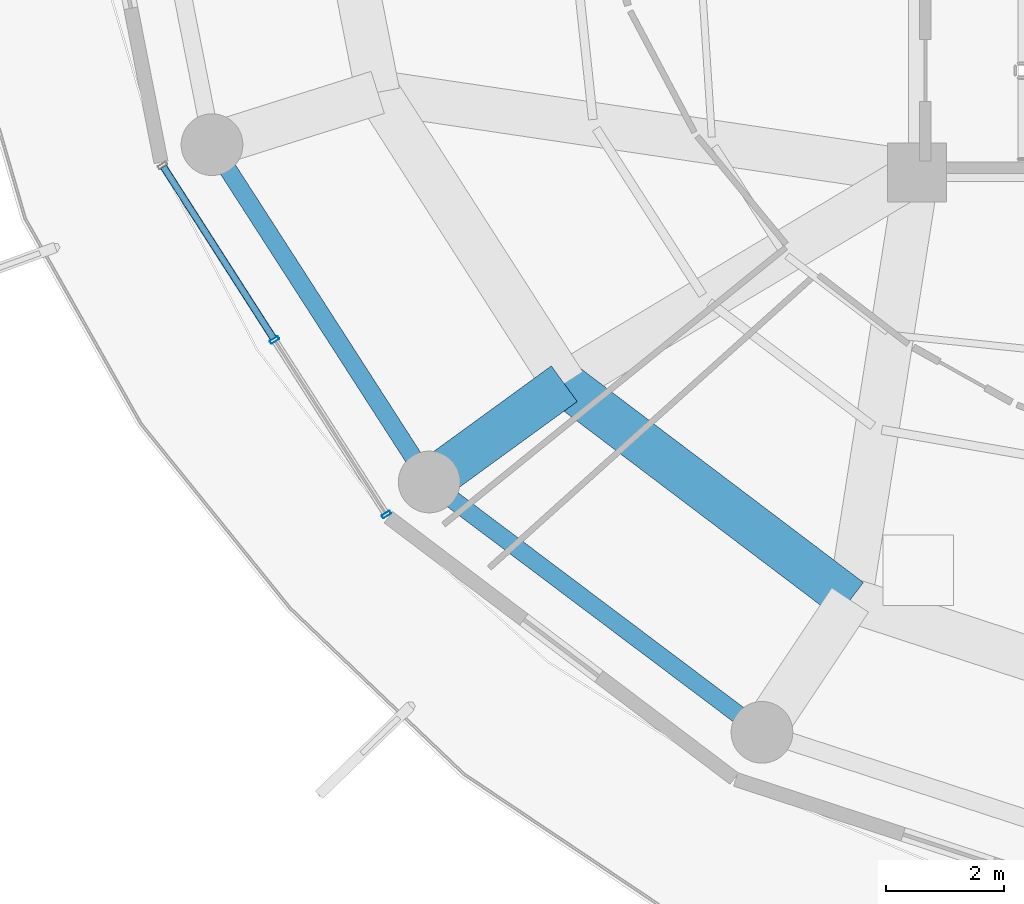
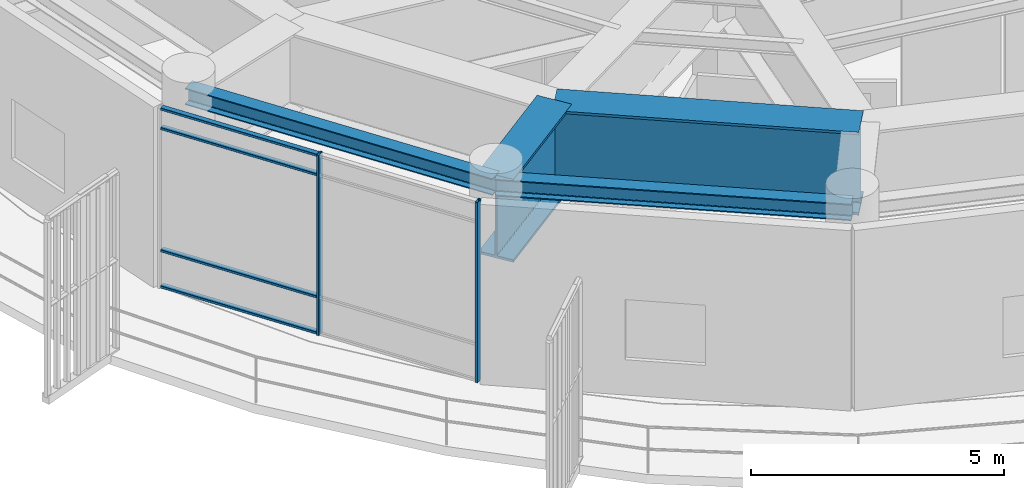
# One storey, part 2 of 29: 6 members, 4 beams, 1 element without a shape of its own.
"""IFC4 building model written with IfcOpenShell, lengths in metres."""

import ifcopenshell
import ifcopenshell.guid

model = None  # the IFC model being written
_history = None  # IfcOwnerHistory: only IFC2X3 demands one
_inside = {}  # id of a spatial element -> (the spatial element, [elements in it])
_under = {}  # id of a project, library or spatial element -> (it, [spatial elements below it])
_declared = {}  # id of a project -> (the project, [libraries it declares])
_typed = {}  # id of a type object -> (the type object, [elements of that type])
_made_of = {}  # id of a material, layer set ... -> (it, [elements and type objects made of it])


def new_model(schema):
    """Start an empty IFC model of exactly this schema.

    Asked for "IFC4X3", IfcOpenShell would pick the latest addendum, in which some entities
    have other attributes; the version numbers below select the first issue.
    IFC2X3 requires an IfcOwnerHistory on every rooted entity: one is made here for all.
    """
    global model, _history
    if schema == "IFC4X3":
        model = ifcopenshell.file(schema_version=(4, 3, 0, 0))
    else:
        model = ifcopenshell.file(schema=schema)
    _inside.clear()
    _under.clear()
    _declared.clear()
    _typed.clear()
    _made_of.clear()
    _history = None
    if model.schema == "IFC2X3":
        org = make("IfcOrganization", Name="unknown")
        user = make(
            "IfcPersonAndOrganization",
            ThePerson=make("IfcPerson", FamilyName="unknown"),
            TheOrganization=org,
        )
        app = make(
            "IfcApplication",
            ApplicationDeveloper=org,
            Version="unknown",
            ApplicationFullName="unknown",
            ApplicationIdentifier="unknown",
        )
        _history = make(
            "IfcOwnerHistory",
            OwningUser=user,
            OwningApplication=app,
            ChangeAction="ADDED",
            CreationDate=0,
        )
    return model


def make(cls, **values):
    """One entity of the class cls with the attributes given. An attribute that is None is left unset."""
    return model.create_entity(
        cls, **{name: value for name, value in values.items() if value is not None}
    )


def rooted(cls, **values):
    """An entity with a GlobalId (a new one), such as an element, a storey or a relation."""
    return make(cls, GlobalId=ifcopenshell.guid.new(), OwnerHistory=_history, **values)


def si_unit(unit_type, name, prefix=None):
    """IfcSIUnit, for example si_unit("LENGTHUNIT", "METRE", prefix="MILLI")."""
    return make("IfcSIUnit", UnitType=unit_type, Prefix=prefix, Name=name)


def assignment(units):
    """IfcUnitAssignment: the units of a project."""
    return None if units is None else make("IfcUnitAssignment", Units=units)


def point(xyz):
    """IfcCartesianPoint."""
    return None if xyz is None else make("IfcCartesianPoint", Coordinates=xyz)


def direction(xyz):
    """IfcDirection."""
    return None if xyz is None else make("IfcDirection", DirectionRatios=xyz)


def frame(location, z_axis=None, x_axis=None):
    """IfcAxis2Placement3D, a coordinate frame: its origin and axes. An axis left out is left unset."""
    return make(
        "IfcAxis2Placement3D",
        Location=point(location),
        Axis=direction(z_axis),
        RefDirection=direction(x_axis),
    )


def frame_2d(location, x_axis=None):
    """IfcAxis2Placement2D, a coordinate frame in the plane: its origin and x axis."""
    return make(
        "IfcAxis2Placement2D", Location=point(location), RefDirection=direction(x_axis)
    )


def origin():
    """The frame at (0, 0, 0) with its axes left unset."""
    return frame((0.0, 0.0, 0.0))


def origin_2d():
    """The frame at (0, 0) in the plane with its x axis left unset."""
    return frame_2d((0.0, 0.0))


def place(relative_to, where):
    """IfcLocalPlacement: puts the frame where relative to a parent placement (None: the world)."""
    return make(
        "IfcLocalPlacement", PlacementRelTo=relative_to, RelativePlacement=where
    )


def context(
    kind, dimensions, precision=None, world=None, true_north=None, identifier=None
):
    """IfcGeometricRepresentationContext, for example the 3D "Model" context."""
    return make(
        "IfcGeometricRepresentationContext",
        ContextIdentifier=identifier,
        ContextType=kind,
        CoordinateSpaceDimension=dimensions,
        Precision=precision,
        WorldCoordinateSystem=world,
        TrueNorth=true_north,
    )


def subcontext(parent, identifier, kind, view, scale=None):
    """IfcGeometricRepresentationSubContext, for example "Body" below "Model"."""
    return make(
        "IfcGeometricRepresentationSubContext",
        ContextIdentifier=identifier,
        ContextType=kind,
        ParentContext=parent,
        TargetScale=scale,
        TargetView=view,
    )


def project(units=None, contexts=None):
    """IfcProject with its units and contexts."""
    return rooted(
        "IfcProject",
        Name="project",
        RepresentationContexts=contexts,
        UnitsInContext=assignment(units),
    )


def spatial(cls, under=None, at=None, **own):
    """A site, building, storey or space (cls), placed at a placement, below another one or the project."""
    s = rooted(cls, ObjectPlacement=at, **own)
    if under is not None:
        _under.setdefault(under.id(), (under, []))[1].append(s)
    return s


def profile(cls, at=None, kind="AREA", **sizes):
    """A parametric profile (cls). Its sizes go by their IFC names, for example OverallWidth=200.0."""
    return make(cls, ProfileType=kind, Position=at, **sizes)


def hollow_rectangle(**sizes):
    """IfcRectangleHollowProfileDef."""
    return profile("IfcRectangleHollowProfileDef", **sizes)


def i_section(**sizes):
    """IfcIShapeProfileDef."""
    return profile("IfcIShapeProfileDef", **sizes)


def extrude(swept, where, along, depth):
    """IfcExtrudedAreaSolid: the profile swept, set in the frame where, extruded along a direction by depth."""
    return make(
        "IfcExtrudedAreaSolid",
        SweptArea=swept,
        Position=where,
        ExtrudedDirection=direction(along),
        Depth=depth,
    )


def shape(context_of_items, identifier, shape_type, items):
    """IfcShapeRepresentation: the items that make up one representation, for example the "Body"."""
    return make(
        "IfcShapeRepresentation",
        ContextOfItems=context_of_items,
        RepresentationIdentifier=identifier,
        RepresentationType=shape_type,
        Items=items,
    )


def material(Name=None, Category=None):
    """IfcMaterial."""
    return make("IfcMaterial", Name=Name, Category=Category)


def layer(
    of_material, thickness, ventilated=None, Name=None, Category=None, Priority=None
):
    """IfcMaterialLayer: one layer of a wall or slab, of a material (None: an air gap)."""
    return make(
        "IfcMaterialLayer",
        Material=of_material,
        LayerThickness=thickness,
        IsVentilated=ventilated,
        Name=Name,
        Category=Category,
        Priority=Priority,
    )


def layer_set(layers, Name=None):
    """IfcMaterialLayerSet."""
    return make("IfcMaterialLayerSet", MaterialLayers=layers, LayerSetName=Name)


def material_profile(
    of_material, cross_section, Name=None, Category=None, Priority=None
):
    """IfcMaterialProfile: a cross section and its material."""
    return make(
        "IfcMaterialProfile",
        Name=Name,
        Material=of_material,
        Profile=cross_section,
        Priority=Priority,
        Category=Category,
    )


def profile_set(profiles, Name=None, composite=None):
    """IfcMaterialProfileSet."""
    return make(
        "IfcMaterialProfileSet",
        Name=Name,
        MaterialProfiles=profiles,
        CompositeProfile=composite,
    )


def made_of(thing, what):
    """Note that an element or type object is made of a material, layer set ...; save() writes the relation."""
    if what is not None:
        _made_of.setdefault(what.id(), (what, []))[1].append(thing)
    return thing


def type_object(cls, material=None, **own):
    """A type object (cls), such as IfcWallType, which elements share."""
    return made_of(rooted(cls, **own), material)


def element(
    cls,
    number,
    at=None,
    inside=None,
    cuts=None,
    type_object=None,
    material=None,
    context=None,
    identifier="Body",
    shape_type=None,
    held_by="IfcProductDefinitionShape",
    body=None,
    shapes=None,
    **own,
):
    """One element of the class cls, such as IfcWall. Its Tag is "e" and its number.

    at: its placement. inside: the storey or other place that contains it. cuts: it is an
    opening in that element (IfcRelVoidsElement). A single representation is given by context,
    identifier, shape_type and body (its items); several are given by shapes. held_by: the class
    of the entity that holds the representations. save() writes the other relations.
    """
    e = rooted(cls, Tag="e%d" % number, ObjectPlacement=at, **own)
    if body is not None:
        shapes = [shape(context, identifier, shape_type, body)]
    if shapes is not None:
        e.Representation = make(held_by, Representations=shapes)
    if inside is not None:
        _inside.setdefault(inside.id(), (inside, []))[1].append(e)
    if cuts is not None:
        rooted(
            "IfcRelVoidsElement", RelatingBuildingElement=cuts, RelatedOpeningElement=e
        )
    if type_object is not None:
        _typed.setdefault(type_object.id(), (type_object, []))[1].append(e)
    return made_of(e, material)


def aggregate(whole, parts):
    """IfcRelAggregates: a whole, such as a stair, and the parts it consists of."""
    return rooted("IfcRelAggregates", RelatingObject=whole, RelatedObjects=parts)


def save(model, path):
    """Write the relations noted so far, then the file.

    IfcRelAggregates (storeys below a building ...), IfcRelContainedInSpatialStructure (elements
    in a storey), IfcRelDefinesByType, IfcRelAssociatesMaterial and IfcRelDeclares: one each for
    every whole, place, type object, material and project.
    """
    for whole, parts in _under.values():
        aggregate(whole, parts)
    for where, things in _inside.values():
        rooted(
            "IfcRelContainedInSpatialStructure",
            RelatedElements=things,
            RelatingStructure=where,
        )
    for kind, things in _typed.values():
        rooted("IfcRelDefinesByType", RelatedObjects=things, RelatingType=kind)
    for what, things in _made_of.values():
        rooted("IfcRelAssociatesMaterial", RelatedObjects=things, RelatingMaterial=what)
    for by, libraries in _declared.values():
        rooted("IfcRelDeclares", RelatingContext=by, RelatedDefinitions=libraries)
    model.write(path)


model = new_model("IFC4")

# Units and contexts
model_context = context("Model", 3, precision=1e-05, world=origin(), true_north=direction((0.0, 1.0)))
body_context = subcontext(model_context, "Body", "Model", "MODEL_VIEW")
ifc_project = project(units=[si_unit("LENGTHUNIT", "METRE"), si_unit("AREAUNIT", "SQUARE_METRE"), si_unit("VOLUMEUNIT", "CUBIC_METRE"), si_unit("PLANEANGLEUNIT", "RADIAN"), si_unit("MASSUNIT", "GRAM", prefix="KILO")], contexts=[model_context])

# Site, building, storey
site_placement = place(None, origin())
site = spatial("IfcSite", under=ifc_project, at=site_placement, CompositionType="ELEMENT")
building_placement = place(site_placement, origin())
building = spatial("IfcBuilding", under=site, at=building_placement, Name="Kelanora Arch Commons", CompositionType="ELEMENT")
storey_placement = place(building_placement, frame((0.0, 0.0, 238.199951171875)))
storey = spatial("IfcBuildingStorey", under=building, at=storey_placement, Name="L61", CompositionType="ELEMENT", Elevation=238.199951171875)

# Beams
ifc_material_1 = material(Name="Steel S355", Category="steel")
ifc_material_profile_1 = material_profile(ifc_material_1, i_section(OverallWidth=0.300048828125, OverallDepth=0.39990234375, WebThickness=0.013427734375, FlangeThickness=0.02392578125, FilletRadius=0.027099609375, at=origin_2d()), Name="HEB400")
ifc_profile_set_1 = profile_set([ifc_material_profile_1], Name="Steel S355")
beam_type_1 = type_object("IfcBeamType", Name="BM-SPN-Z4", PredefinedType="SPANDREL", material=ifc_profile_set_1)
beam_1_placement = place(storey_placement, frame((54.00341796875, 51.474365234375, 4.16015625), z_axis=(0.541364878868, -0.840787766281, 0.0), x_axis=(0.840787766281, 0.541364878868, 0.0)))
element("IfcBeam", 1, at=beam_1_placement, inside=storey, type_object=beam_type_1, Name="Perimeter Spandrel Beam BS-20 L61", PredefinedType="SPANDREL", context=body_context, shape_type="SweptSolid", body=[
    extrude(i_section(OverallWidth=0.300048828125, OverallDepth=0.39990234375, WebThickness=0.013427734375, FlangeThickness=0.02392578125, FilletRadius=0.027099609375, at=origin_2d()), origin(), (0.0, 0.0, 1.0), 6.825439453125),
])
beam_2_placement = place(storey_placement, frame((57.698486328125, 45.735595703125, 4.16015625), z_axis=(0.799114211715, -0.60117923836, 0.0), x_axis=(0.60117923836, 0.799114211715, 0.0)))
element("IfcBeam", 2, at=beam_2_placement, inside=storey, type_object=beam_type_1, Name="Perimeter Spandrel Beam BS-22 L61", PredefinedType="SPANDREL", context=body_context, shape_type="SweptSolid", body=[
    extrude(i_section(OverallWidth=0.300048828125, OverallDepth=0.39990234375, WebThickness=0.013427734375, FlangeThickness=0.02392578125, FilletRadius=0.027099609375, at=origin_2d()), origin(), (0.0, 0.0, 1.0), 7.0849609375),
])
ifc_material_profile_2 = material_profile(ifc_material_1, i_section(OverallWidth=0.75, OverallDepth=2.0, WebThickness=0.034912109375, FlangeThickness=0.06005859375, FilletRadius=0.028076171875, at=origin_2d()), Name="PG2000x750")
ifc_profile_set_2 = profile_set([ifc_material_profile_2], Name="Steel S355")
beam_type_2 = type_object("IfcBeamType", Name="BM-XFER-SET", PredefinedType="USERDEFINED", material=ifc_profile_set_2)
beam_3_placement = place(storey_placement, frame((59.99658203125, 47.406982421875, 3.360107421875), z_axis=(-0.808728653653, -0.588181914683, 0.0), x_axis=(0.588181914683, -0.808728653653, 0.0)))
element("IfcBeam", 3, at=beam_3_placement, inside=storey, type_object=beam_type_2, Name="Radial Floor Girder BR-22 L61", ObjectType="TRANSFER_GIRDER", PredefinedType="USERDEFINED", context=body_context, shape_type="SweptSolid", body=[
    extrude(i_section(OverallWidth=0.75, OverallDepth=2.0, WebThickness=0.034912109375, FlangeThickness=0.06005859375, FilletRadius=0.028076171875, at=origin_2d()), origin(), (0.0, 0.0, 1.0), 2.841552734375),
])
beam_4_placement = place(storey_placement, frame((59.99658203125, 47.406982421875, 3.360107421875), z_axis=(0.797509460967, -0.603306439273, 0.0), x_axis=(0.603306439273, 0.797509460967, 0.0)))
element("IfcBeam", 4, at=beam_4_placement, inside=storey, type_object=beam_type_2, Name="Setback Inner Transfer Ring BSI-22 L61", ObjectType="TRANSFER_GIRDER", PredefinedType="USERDEFINED", context=body_context, shape_type="SweptSolid", body=[
    extrude(i_section(OverallWidth=0.75, OverallDepth=2.0, WebThickness=0.034912109375, FlangeThickness=0.06005859375, FilletRadius=0.028076171875, at=origin_2d()), origin(), (0.0, 0.0, 1.0), 6.098388671875),
])

# Curtain wall, members
ifc_material_2 = material(Name="Terracotta ceramic-fritted low-E glass and aluminium", Category="masonry")
ifc_layer = layer(ifc_material_2, 0.175048828125)
ifc_layer_set = layer_set([ifc_layer], Name="Terracotta ceramic-fritted low-E glass and aluminium")
curtain_wall_type = type_object("IfcCurtainWallType", Name="CW-SYS-02", PredefinedType="NOTDEFINED", material=ifc_layer_set)
curtain_wall_placement = place(storey_placement, origin())
curtain_wall = element("IfcCurtainWall", 5, at=curtain_wall_placement, inside=storey, type_object=curtain_wall_type, Name="Unitised Curtain Wall L61-B10", PredefinedType="NOTDEFINED")
ifc_material_3 = material(Name="Powder-coated aluminium terracotta", Category="masonry")
ifc_material_profile_3 = material_profile(ifc_material_3, hollow_rectangle(XDim=0.159912109375, YDim=0.06005859375, WallThickness=0.0048828125, InnerFilletRadius=0.0048828125, OuterFilletRadius=0.010009765625, at=origin_2d()), Name="CWM160x60")
ifc_profile_set_3 = profile_set([ifc_material_profile_3], Name="Powder-coated aluminium terracotta")
member_type_1 = type_object("IfcMemberType", Name="CWM-STD", PredefinedType="MULLION", material=ifc_profile_set_3)
member_1_placement = place(storey_placement, frame((55.06640625, 48.15185546875, 0.0), z_axis=(0.0, 0.0, 1.0), x_axis=(0.84194757539, 0.539559338994, 0.0)))
member_1 = element("IfcMember", 6, at=member_1_placement, type_object=member_type_1, Name="CW-02 mullion 2", PredefinedType="MULLION", context=body_context, shape_type="SweptSolid", body=[
    extrude(hollow_rectangle(XDim=0.159912109375, YDim=0.06005859375, WallThickness=0.0048828125, InnerFilletRadius=0.0048828125, OuterFilletRadius=0.010009765625, at=origin_2d()), origin(), (0.0, 0.0, 1.0), 4.344970703125),
])
member_2_placement = place(storey_placement, frame((56.969482421875, 45.18212890625, 0.0), z_axis=(0.0, 0.0, 1.0), x_axis=(0.84194757539, 0.539559338994, 0.0)))
member_2 = element("IfcMember", 7, at=member_2_placement, type_object=member_type_1, Name="CW-02 mullion 3", PredefinedType="MULLION", context=body_context, shape_type="SweptSolid", body=[
    extrude(hollow_rectangle(XDim=0.159912109375, YDim=0.06005859375, WallThickness=0.0048828125, InnerFilletRadius=0.0048828125, OuterFilletRadius=0.010009765625, at=origin_2d()), origin(), (0.0, 0.0, 1.0), 4.344970703125),
])
ifc_material_profile_4 = material_profile(ifc_material_3, hollow_rectangle(XDim=0.1201171875, YDim=0.06005859375, WallThickness=0.0048828125, InnerFilletRadius=0.0048828125, OuterFilletRadius=0.010009765625, at=origin_2d()), Name="CWT120x60")
ifc_profile_set_4 = profile_set([ifc_material_profile_4], Name="Powder-coated aluminium terracotta")
member_type_2 = type_object("IfcMemberType", Name="CWT-STD", PredefinedType="USERDEFINED", material=ifc_profile_set_4)
member_3_placement = place(storey_placement, frame((53.17919921875, 51.096435546875, 0.030029296875), z_axis=(0.539579095642, -0.84193491408, 0.0), x_axis=(0.84193491408, 0.539579095642, 0.0)))
member_3 = element("IfcMember", 8, at=member_3_placement, type_object=member_type_2, Name="CW-02 transom 1.1", ObjectType="TRANSOM", PredefinedType="USERDEFINED", context=body_context, shape_type="SweptSolid", body=[
    extrude(hollow_rectangle(XDim=0.1201171875, YDim=0.06005859375, WallThickness=0.0048828125, InnerFilletRadius=0.0048828125, OuterFilletRadius=0.010009765625, at=origin_2d()), origin(), (0.0, 0.0, 1.0), 3.46728515625),
])
member_4_placement = place(storey_placement, frame((53.17919921875, 51.096435546875, 0.900146484375), z_axis=(0.539579095642, -0.84193491408, 0.0), x_axis=(0.84193491408, 0.539579095642, 0.0)))
member_4 = element("IfcMember", 9, at=member_4_placement, type_object=member_type_2, Name="CW-02 transom 1.2", ObjectType="TRANSOM", PredefinedType="USERDEFINED", context=body_context, shape_type="SweptSolid", body=[
    extrude(hollow_rectangle(XDim=0.1201171875, YDim=0.06005859375, WallThickness=0.0048828125, InnerFilletRadius=0.0048828125, OuterFilletRadius=0.010009765625, at=origin_2d()), origin(), (0.0, 0.0, 1.0), 3.46728515625),
])
member_5_placement = place(storey_placement, frame((53.17919921875, 51.096435546875, 3.844970703125), z_axis=(0.539579095642, -0.84193491408, 0.0), x_axis=(0.84193491408, 0.539579095642, 0.0)))
member_5 = element("IfcMember", 10, at=member_5_placement, type_object=member_type_2, Name="CW-02 transom 1.3", ObjectType="TRANSOM", PredefinedType="USERDEFINED", context=body_context, shape_type="SweptSolid", body=[
    extrude(hollow_rectangle(XDim=0.1201171875, YDim=0.06005859375, WallThickness=0.0048828125, InnerFilletRadius=0.0048828125, OuterFilletRadius=0.010009765625, at=origin_2d()), origin(), (0.0, 0.0, 1.0), 3.46728515625),
])
member_6_placement = place(storey_placement, frame((53.17919921875, 51.096435546875, 4.31494140625), z_axis=(0.539579095642, -0.84193491408, 0.0), x_axis=(0.84193491408, 0.539579095642, 0.0)))
member_6 = element("IfcMember", 11, at=member_6_placement, type_object=member_type_2, Name="CW-02 transom 1.4", ObjectType="TRANSOM", PredefinedType="USERDEFINED", context=body_context, shape_type="SweptSolid", body=[
    extrude(hollow_rectangle(XDim=0.1201171875, YDim=0.06005859375, WallThickness=0.0048828125, InnerFilletRadius=0.0048828125, OuterFilletRadius=0.010009765625, at=origin_2d()), origin(), (0.0, 0.0, 1.0), 3.46728515625),
])
aggregate(curtain_wall, [member_1, member_2, member_3, member_4, member_5, member_6])

save(model, "model.ifc")
